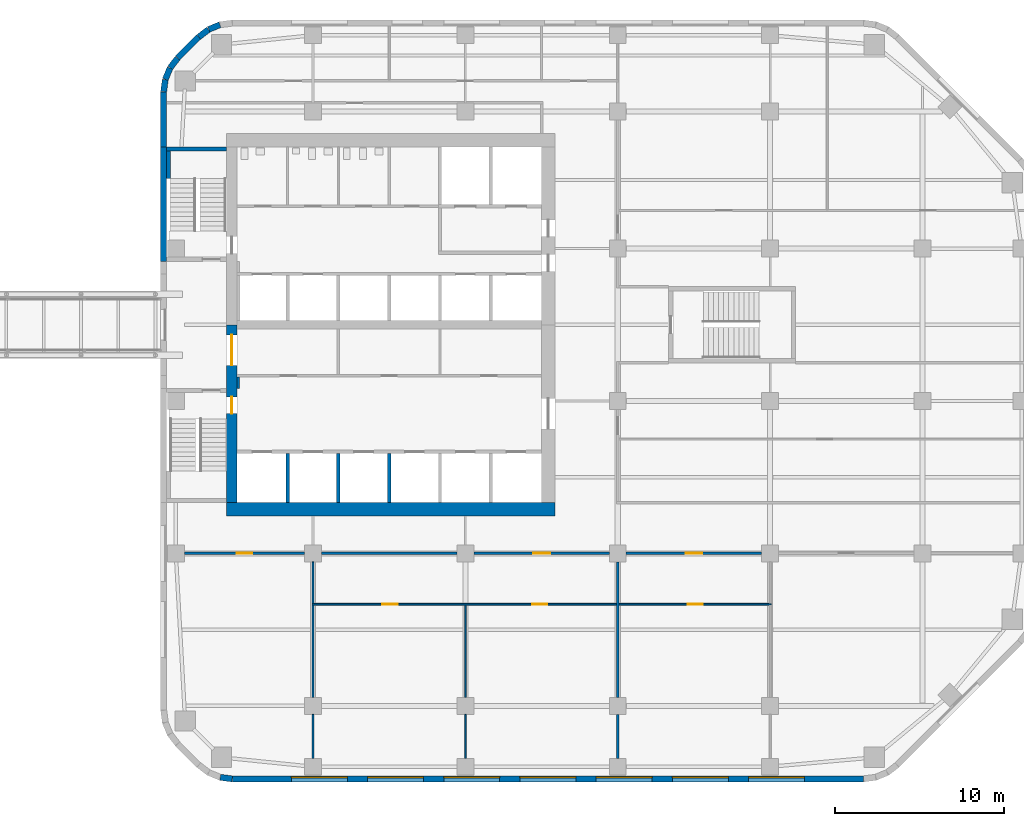
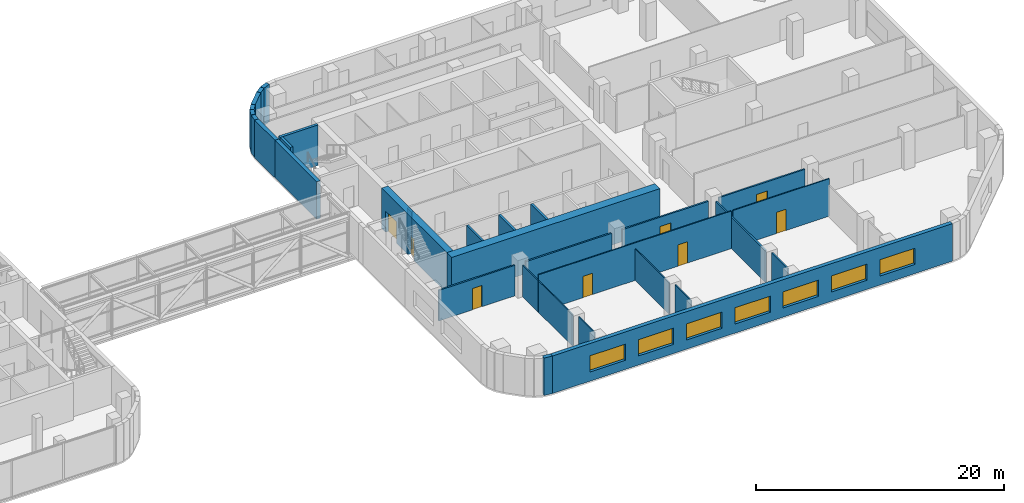
# One storey, part 14 of 21: 31 walls, 8 doors, 7 windows, 15 openings.
"""IFC4 building model written with IfcOpenShell, lengths in metres."""

import ifcopenshell
import ifcopenshell.guid

model = None  # the IFC model being written
_history = None  # IfcOwnerHistory: only IFC2X3 demands one
_inside = {}  # id of a spatial element -> (the spatial element, [elements in it])
_under = {}  # id of a project, library or spatial element -> (it, [spatial elements below it])
_declared = {}  # id of a project -> (the project, [libraries it declares])
_typed = {}  # id of a type object -> (the type object, [elements of that type])
_made_of = {}  # id of a material, layer set ... -> (it, [elements and type objects made of it])


def new_model(schema):
    """Start an empty IFC model of exactly this schema.

    Asked for "IFC4X3", IfcOpenShell would pick the latest addendum, in which some entities
    have other attributes; the version numbers below select the first issue.
    IFC2X3 requires an IfcOwnerHistory on every rooted entity: one is made here for all.
    """
    global model, _history
    if schema == "IFC4X3":
        model = ifcopenshell.file(schema_version=(4, 3, 0, 0))
    else:
        model = ifcopenshell.file(schema=schema)
    _inside.clear()
    _under.clear()
    _declared.clear()
    _typed.clear()
    _made_of.clear()
    _history = None
    if model.schema == "IFC2X3":
        org = make("IfcOrganization", Name="unknown")
        user = make(
            "IfcPersonAndOrganization",
            ThePerson=make("IfcPerson", FamilyName="unknown"),
            TheOrganization=org,
        )
        app = make(
            "IfcApplication",
            ApplicationDeveloper=org,
            Version="unknown",
            ApplicationFullName="unknown",
            ApplicationIdentifier="unknown",
        )
        _history = make(
            "IfcOwnerHistory",
            OwningUser=user,
            OwningApplication=app,
            ChangeAction="ADDED",
            CreationDate=0,
        )
    return model


def make(cls, **values):
    """One entity of the class cls with the attributes given. An attribute that is None is left unset."""
    return model.create_entity(
        cls, **{name: value for name, value in values.items() if value is not None}
    )


def rooted(cls, **values):
    """An entity with a GlobalId (a new one), such as an element, a storey or a relation."""
    return make(cls, GlobalId=ifcopenshell.guid.new(), OwnerHistory=_history, **values)


def si_unit(unit_type, name, prefix=None):
    """IfcSIUnit, for example si_unit("LENGTHUNIT", "METRE", prefix="MILLI")."""
    return make("IfcSIUnit", UnitType=unit_type, Prefix=prefix, Name=name)


def assignment(units):
    """IfcUnitAssignment: the units of a project."""
    return None if units is None else make("IfcUnitAssignment", Units=units)


def point(xyz):
    """IfcCartesianPoint."""
    return None if xyz is None else make("IfcCartesianPoint", Coordinates=xyz)


def direction(xyz):
    """IfcDirection."""
    return None if xyz is None else make("IfcDirection", DirectionRatios=xyz)


def frame(location, z_axis=None, x_axis=None):
    """IfcAxis2Placement3D, a coordinate frame: its origin and axes. An axis left out is left unset."""
    return make(
        "IfcAxis2Placement3D",
        Location=point(location),
        Axis=direction(z_axis),
        RefDirection=direction(x_axis),
    )


def frame_2d(location, x_axis=None):
    """IfcAxis2Placement2D, a coordinate frame in the plane: its origin and x axis."""
    return make(
        "IfcAxis2Placement2D", Location=point(location), RefDirection=direction(x_axis)
    )


def origin():
    """The frame at (0, 0, 0) with its axes left unset."""
    return frame((0.0, 0.0, 0.0))


def place(relative_to, where):
    """IfcLocalPlacement: puts the frame where relative to a parent placement (None: the world)."""
    return make(
        "IfcLocalPlacement", PlacementRelTo=relative_to, RelativePlacement=where
    )


def context(
    kind, dimensions, precision=None, world=None, true_north=None, identifier=None
):
    """IfcGeometricRepresentationContext, for example the 3D "Model" context."""
    return make(
        "IfcGeometricRepresentationContext",
        ContextIdentifier=identifier,
        ContextType=kind,
        CoordinateSpaceDimension=dimensions,
        Precision=precision,
        WorldCoordinateSystem=world,
        TrueNorth=true_north,
    )


def subcontext(parent, identifier, kind, view, scale=None):
    """IfcGeometricRepresentationSubContext, for example "Body" below "Model"."""
    return make(
        "IfcGeometricRepresentationSubContext",
        ContextIdentifier=identifier,
        ContextType=kind,
        ParentContext=parent,
        TargetScale=scale,
        TargetView=view,
    )


def project(units=None, contexts=None):
    """IfcProject with its units and contexts."""
    return rooted(
        "IfcProject",
        Name="project",
        RepresentationContexts=contexts,
        UnitsInContext=assignment(units),
    )


def spatial(cls, under=None, at=None, **own):
    """A site, building, storey or space (cls), placed at a placement, below another one or the project."""
    s = rooted(cls, ObjectPlacement=at, **own)
    if under is not None:
        _under.setdefault(under.id(), (under, []))[1].append(s)
    return s


def profile(cls, at=None, kind="AREA", **sizes):
    """A parametric profile (cls). Its sizes go by their IFC names, for example OverallWidth=200.0."""
    return make(cls, ProfileType=kind, Position=at, **sizes)


def rectangle(**sizes):
    """IfcRectangleProfileDef."""
    return profile("IfcRectangleProfileDef", **sizes)


def extrude(swept, where, along, depth):
    """IfcExtrudedAreaSolid: the profile swept, set in the frame where, extruded along a direction by depth."""
    return make(
        "IfcExtrudedAreaSolid",
        SweptArea=swept,
        Position=where,
        ExtrudedDirection=direction(along),
        Depth=depth,
    )


def shape(context_of_items, identifier, shape_type, items):
    """IfcShapeRepresentation: the items that make up one representation, for example the "Body"."""
    return make(
        "IfcShapeRepresentation",
        ContextOfItems=context_of_items,
        RepresentationIdentifier=identifier,
        RepresentationType=shape_type,
        Items=items,
    )


def material(Name=None, Category=None):
    """IfcMaterial."""
    return make("IfcMaterial", Name=Name, Category=Category)


def layer(
    of_material, thickness, ventilated=None, Name=None, Category=None, Priority=None
):
    """IfcMaterialLayer: one layer of a wall or slab, of a material (None: an air gap)."""
    return make(
        "IfcMaterialLayer",
        Material=of_material,
        LayerThickness=thickness,
        IsVentilated=ventilated,
        Name=Name,
        Category=Category,
        Priority=Priority,
    )


def layer_set(layers, Name=None):
    """IfcMaterialLayerSet."""
    return make("IfcMaterialLayerSet", MaterialLayers=layers, LayerSetName=Name)


def made_of(thing, what):
    """Note that an element or type object is made of a material, layer set ...; save() writes the relation."""
    if what is not None:
        _made_of.setdefault(what.id(), (what, []))[1].append(thing)
    return thing


def type_object(cls, material=None, **own):
    """A type object (cls), such as IfcWallType, which elements share."""
    return made_of(rooted(cls, **own), material)


def element(
    cls,
    number,
    at=None,
    inside=None,
    cuts=None,
    type_object=None,
    material=None,
    context=None,
    identifier="Body",
    shape_type=None,
    held_by="IfcProductDefinitionShape",
    body=None,
    shapes=None,
    **own,
):
    """One element of the class cls, such as IfcWall. Its Tag is "e" and its number.

    at: its placement. inside: the storey or other place that contains it. cuts: it is an
    opening in that element (IfcRelVoidsElement). A single representation is given by context,
    identifier, shape_type and body (its items); several are given by shapes. held_by: the class
    of the entity that holds the representations. save() writes the other relations.
    """
    e = rooted(cls, Tag="e%d" % number, ObjectPlacement=at, **own)
    if body is not None:
        shapes = [shape(context, identifier, shape_type, body)]
    if shapes is not None:
        e.Representation = make(held_by, Representations=shapes)
    if inside is not None:
        _inside.setdefault(inside.id(), (inside, []))[1].append(e)
    if cuts is not None:
        rooted(
            "IfcRelVoidsElement", RelatingBuildingElement=cuts, RelatedOpeningElement=e
        )
    if type_object is not None:
        _typed.setdefault(type_object.id(), (type_object, []))[1].append(e)
    return made_of(e, material)


def fill(opening, filler):
    """IfcRelFillsElement: the door or window that sits in an opening."""
    return rooted(
        "IfcRelFillsElement",
        RelatingOpeningElement=opening,
        RelatedBuildingElement=filler,
    )


def aggregate(whole, parts):
    """IfcRelAggregates: a whole, such as a stair, and the parts it consists of."""
    return rooted("IfcRelAggregates", RelatingObject=whole, RelatedObjects=parts)


def save(model, path):
    """Write the relations noted so far, then the file.

    IfcRelAggregates (storeys below a building ...), IfcRelContainedInSpatialStructure (elements
    in a storey), IfcRelDefinesByType, IfcRelAssociatesMaterial and IfcRelDeclares: one each for
    every whole, place, type object, material and project.
    """
    for whole, parts in _under.values():
        aggregate(whole, parts)
    for where, things in _inside.values():
        rooted(
            "IfcRelContainedInSpatialStructure",
            RelatedElements=things,
            RelatingStructure=where,
        )
    for kind, things in _typed.values():
        rooted("IfcRelDefinesByType", RelatedObjects=things, RelatingType=kind)
    for what, things in _made_of.values():
        rooted("IfcRelAssociatesMaterial", RelatedObjects=things, RelatingMaterial=what)
    for by, libraries in _declared.values():
        rooted("IfcRelDeclares", RelatingContext=by, RelatedDefinitions=libraries)
    model.write(path)


model = new_model("IFC4")

# Units and contexts
model_context = context("Model", 3, precision=1e-05, world=origin(), true_north=direction((0.0, 1.0)))
body_context = subcontext(model_context, "Body", "Model", "MODEL_VIEW")
ifc_project = project(units=[si_unit("LENGTHUNIT", "METRE"), si_unit("AREAUNIT", "SQUARE_METRE"), si_unit("VOLUMEUNIT", "CUBIC_METRE"), si_unit("PLANEANGLEUNIT", "RADIAN"), si_unit("MASSUNIT", "GRAM", prefix="KILO")], contexts=[model_context])

# Site, building, storey
site_placement = place(None, origin())
site = spatial("IfcSite", under=ifc_project, at=site_placement, CompositionType="ELEMENT")
building_placement = place(site_placement, origin())
building = spatial("IfcBuilding", under=site, at=building_placement, Name="Cinnabar Reach Civic Tower", CompositionType="ELEMENT")
storey_placement = place(building_placement, frame((0.0, 0.0, 140.0)))
storey = spatial("IfcBuildingStorey", under=building, at=storey_placement, Name="L33", CompositionType="ELEMENT", Elevation=140.0)

# Walls
ifc_material_1 = material(Name="Facing brick with insulated backing", Category="masonry")
ifc_layer_1 = layer(ifc_material_1, 0.36)
ifc_layer_set_1 = layer_set([ifc_layer_1], Name="Brick corner wall")
wall_type_1 = type_object("IfcWallType", Name="Brick corner wall", PredefinedType="STANDARD", material=ifc_layer_set_1)
wall_1_placement = place(storey_placement, frame((3.5027, 49.2181, 0.0), z_axis=(0.0, 0.0, 1.0), x_axis=(-0.923871547278, -0.382702709855, 0.0)))
element("IfcWall", 1, at=wall_1_placement, inside=storey, type_object=wall_type_1, Name="Brick corner wall", PredefinedType="STANDARD", context=body_context, shape_type="SweptSolid", body=[
    extrude(rectangle(XDim=0.7131, YDim=0.36, at=frame_2d((0.3565, 0.0))), origin(), (0.0, 0.0, 1.0), 3.7),
])
for number, where, z_axis, x_axis, name in (
    (2, (2.8245, 48.934, 0.0), (0.0, 0.0, 1.0), (-0.793321924995, -0.608802368033, 0.0), "Brick corner wall"),
    (3, (1.0002, 47.2413, 0.0), (0.0, 0.0, 1.0), (-0.608802368033, -0.793321924995, 0.0), "Brick corner wall"),
):
    element("IfcWall", number, at=place(storey_placement, frame(where, z_axis=z_axis, x_axis=x_axis)), inside=storey, type_object=wall_type_1, Name=name, PredefinedType="STANDARD", context=body_context, shape_type="SweptSolid", body=[
        extrude(rectangle(XDim=0.7132, YDim=0.36, at=frame_2d((0.3566, 0.0))), origin(), (0.0, 0.0, 1.0), 3.7),
    ])
for number, where, z_axis, x_axis, name in (
    (4, (0.5548, 46.6561, 0.0), (0.0, 0.0, 1.0), (-0.382702709855, -0.923871547278, 0.0), "Brick corner wall"),
    (5, (0.2761, 45.9756, 0.0), (0.0, 0.0, 1.0), (-0.13055608231, -0.99144092581, 0.0), "Brick corner wall"),
    (6, (3.5244, 4.7761, 0.0), (0.0, 0.0, 1.0), (0.99144092581, -0.13055608231, 0.0), "Brick corner wall"),
):
    element("IfcWall", number, at=place(storey_placement, frame(where, z_axis=z_axis, x_axis=x_axis)), inside=storey, type_object=wall_type_1, Name=name, PredefinedType="STANDARD", context=body_context, shape_type="SweptSolid", body=[
        extrude(rectangle(XDim=0.7131, YDim=0.36, at=frame_2d((0.3565, 0.0))), origin(), (0.0, 0.0, 1.0), 3.7),
    ])

# Wall, openings, windows
ifc_layer_2 = layer(ifc_material_1, 0.36)
ifc_layer_set_2 = layer_set([ifc_layer_2], Name="Brick pier and spandrel wall")
wall_type_2 = type_object("IfcWallType", Name="Brick pier and spandrel wall", PredefinedType="STANDARD", material=ifc_layer_set_2)
wall_2_placement = place(storey_placement, frame((4.2426, 4.68, 0.0), z_axis=(0.0, 0.0, 1.0), x_axis=(1.0, 0.0, 0.0)))
wall_2 = element("IfcWall", 7, at=wall_2_placement, inside=storey, type_object=wall_type_2, Name="Brick facade wall", PredefinedType="STANDARD", context=body_context, shape_type="SweptSolid", body=[
    extrude(rectangle(XDim=37.2648, YDim=0.36, at=frame_2d((18.6324, 0.0))), origin(), (0.0, 0.0, 1.0), 3.7),
])
opening_1_placement = place(wall_2_placement, frame((3.4824, 0.0, 0.9)))
opening_1 = element("IfcOpeningElement", 8, at=opening_1_placement, cuts=wall_2, Name="Opening W1699", PredefinedType="OPENING", context=body_context, shape_type="SweptSolid", body=[
    extrude(rectangle(XDim=3.3, YDim=1.6, at=frame_2d((1.65, 0.8))), frame((0.0, 0.19, 0.0), z_axis=(0.0, -1.0, 0.0), x_axis=(1.0, 0.0, 0.0)), (0.0, 0.0, 1.0), 0.38),
])
opening_2_placement = place(wall_2_placement, frame((7.9824, 0.0, 0.9)))
opening_2 = element("IfcOpeningElement", 9, at=opening_2_placement, cuts=wall_2, Name="Opening W1700", PredefinedType="OPENING", context=body_context, shape_type="SweptSolid", body=[
    extrude(rectangle(XDim=3.3, YDim=1.6, at=frame_2d((1.65, 0.8))), frame((0.0, 0.19, 0.0), z_axis=(0.0, -1.0, 0.0), x_axis=(1.0, 0.0, 0.0)), (0.0, 0.0, 1.0), 0.38),
])
opening_3_placement = place(wall_2_placement, frame((12.4824, 0.0, 0.9)))
opening_3 = element("IfcOpeningElement", 10, at=opening_3_placement, cuts=wall_2, Name="Opening W1701", PredefinedType="OPENING", context=body_context, shape_type="SweptSolid", body=[
    extrude(rectangle(XDim=3.3, YDim=1.6, at=frame_2d((1.65, 0.8))), frame((0.0, 0.19, 0.0), z_axis=(0.0, -1.0, 0.0), x_axis=(1.0, 0.0, 0.0)), (0.0, 0.0, 1.0), 0.38),
])
opening_4_placement = place(wall_2_placement, frame((16.9824, 0.0, 0.9)))
opening_4 = element("IfcOpeningElement", 11, at=opening_4_placement, cuts=wall_2, Name="Opening W1702", PredefinedType="OPENING", context=body_context, shape_type="SweptSolid", body=[
    extrude(rectangle(XDim=3.3, YDim=1.6, at=frame_2d((1.65, 0.8))), frame((0.0, 0.19, 0.0), z_axis=(0.0, -1.0, 0.0), x_axis=(1.0, 0.0, 0.0)), (0.0, 0.0, 1.0), 0.38),
])
opening_5_placement = place(wall_2_placement, frame((21.4824, 0.0, 0.9)))
opening_5 = element("IfcOpeningElement", 12, at=opening_5_placement, cuts=wall_2, Name="Opening W1703", PredefinedType="OPENING", context=body_context, shape_type="SweptSolid", body=[
    extrude(rectangle(XDim=3.3, YDim=1.6, at=frame_2d((1.65, 0.8))), frame((0.0, 0.19, 0.0), z_axis=(0.0, -1.0, 0.0), x_axis=(1.0, 0.0, 0.0)), (0.0, 0.0, 1.0), 0.38),
])
opening_6_placement = place(wall_2_placement, frame((25.9824, 0.0, 0.9)))
opening_6 = element("IfcOpeningElement", 13, at=opening_6_placement, cuts=wall_2, Name="Opening W1704", PredefinedType="OPENING", context=body_context, shape_type="SweptSolid", body=[
    extrude(rectangle(XDim=3.3, YDim=1.6, at=frame_2d((1.65, 0.8))), frame((0.0, 0.19, 0.0), z_axis=(0.0, -1.0, 0.0), x_axis=(1.0, 0.0, 0.0)), (0.0, 0.0, 1.0), 0.38),
])
opening_7_placement = place(wall_2_placement, frame((30.4824, 0.0, 0.9)))
opening_7 = element("IfcOpeningElement", 14, at=opening_7_placement, cuts=wall_2, Name="Opening W1705", PredefinedType="OPENING", context=body_context, shape_type="SweptSolid", body=[
    extrude(rectangle(XDim=3.3, YDim=1.6, at=frame_2d((1.65, 0.8))), frame((0.0, 0.19, 0.0), z_axis=(0.0, -1.0, 0.0), x_axis=(1.0, 0.0, 0.0)), (0.0, 0.0, 1.0), 0.38),
])
ifc_material_2 = material(Name="Clear double glazing in aluminium frame", Category="aluminium")
window_type = type_object("IfcWindowType", Name="Deep-set window A", PartitioningType="SINGLE_PANEL", PredefinedType="WINDOW", material=ifc_material_2)
window_1_placement = place(opening_1_placement, origin())
window_1 = element("IfcWindow", 15, at=window_1_placement, inside=storey, type_object=window_type, Name="Window south face", OverallHeight=1.6, OverallWidth=3.3, PartitioningType="SINGLE_PANEL", PredefinedType="WINDOW", context=body_context, shape_type="SweptSolid", body=[
    extrude(rectangle(XDim=3.3, YDim=1.6, at=frame_2d((1.65, 0.8))), frame((0.0, 0.13, 0.0), z_axis=(0.0, -1.0, 0.0), x_axis=(1.0, 0.0, 0.0)), (0.0, 0.0, 1.0), 0.06),
])
fill(opening_1, window_1)
window_2_placement = place(opening_2_placement, origin())
window_2 = element("IfcWindow", 16, at=window_2_placement, inside=storey, type_object=window_type, Name="Window south face", OverallHeight=1.6, OverallWidth=3.3, PartitioningType="SINGLE_PANEL", PredefinedType="WINDOW", context=body_context, shape_type="SweptSolid", body=[
    extrude(rectangle(XDim=3.3, YDim=1.6, at=frame_2d((1.65, 0.8))), frame((0.0, 0.13, 0.0), z_axis=(0.0, -1.0, 0.0), x_axis=(1.0, 0.0, 0.0)), (0.0, 0.0, 1.0), 0.06),
])
fill(opening_2, window_2)
window_3_placement = place(opening_3_placement, origin())
window_3 = element("IfcWindow", 17, at=window_3_placement, inside=storey, type_object=window_type, Name="Window south face", OverallHeight=1.6, OverallWidth=3.3, PartitioningType="SINGLE_PANEL", PredefinedType="WINDOW", context=body_context, shape_type="SweptSolid", body=[
    extrude(rectangle(XDim=3.3, YDim=1.6, at=frame_2d((1.65, 0.8))), frame((0.0, 0.13, 0.0), z_axis=(0.0, -1.0, 0.0), x_axis=(1.0, 0.0, 0.0)), (0.0, 0.0, 1.0), 0.06),
])
fill(opening_3, window_3)
window_4_placement = place(opening_4_placement, origin())
window_4 = element("IfcWindow", 18, at=window_4_placement, inside=storey, type_object=window_type, Name="Window south face", OverallHeight=1.6, OverallWidth=3.3, PartitioningType="SINGLE_PANEL", PredefinedType="WINDOW", context=body_context, shape_type="SweptSolid", body=[
    extrude(rectangle(XDim=3.3, YDim=1.6, at=frame_2d((1.65, 0.8))), frame((0.0, 0.13, 0.0), z_axis=(0.0, -1.0, 0.0), x_axis=(1.0, 0.0, 0.0)), (0.0, 0.0, 1.0), 0.06),
])
fill(opening_4, window_4)
window_5_placement = place(opening_5_placement, origin())
window_5 = element("IfcWindow", 19, at=window_5_placement, inside=storey, type_object=window_type, Name="Window south face", OverallHeight=1.6, OverallWidth=3.3, PartitioningType="SINGLE_PANEL", PredefinedType="WINDOW", context=body_context, shape_type="SweptSolid", body=[
    extrude(rectangle(XDim=3.3, YDim=1.6, at=frame_2d((1.65, 0.8))), frame((0.0, 0.13, 0.0), z_axis=(0.0, -1.0, 0.0), x_axis=(1.0, 0.0, 0.0)), (0.0, 0.0, 1.0), 0.06),
])
fill(opening_5, window_5)
window_6_placement = place(opening_6_placement, origin())
window_6 = element("IfcWindow", 20, at=window_6_placement, inside=storey, type_object=window_type, Name="Window south face", OverallHeight=1.6, OverallWidth=3.3, PartitioningType="SINGLE_PANEL", PredefinedType="WINDOW", context=body_context, shape_type="SweptSolid", body=[
    extrude(rectangle(XDim=3.3, YDim=1.6, at=frame_2d((1.65, 0.8))), frame((0.0, 0.13, 0.0), z_axis=(0.0, -1.0, 0.0), x_axis=(1.0, 0.0, 0.0)), (0.0, 0.0, 1.0), 0.06),
])
fill(opening_6, window_6)
window_7_placement = place(opening_7_placement, origin())
window_7 = element("IfcWindow", 21, at=window_7_placement, inside=storey, type_object=window_type, Name="Window south face", OverallHeight=1.6, OverallWidth=3.3, PartitioningType="SINGLE_PANEL", PredefinedType="WINDOW", context=body_context, shape_type="SweptSolid", body=[
    extrude(rectangle(XDim=3.3, YDim=1.6, at=frame_2d((1.65, 0.8))), frame((0.0, 0.13, 0.0), z_axis=(0.0, -1.0, 0.0), x_axis=(1.0, 0.0, 0.0)), (0.0, 0.0, 1.0), 0.06),
])
fill(opening_7, window_7)

# Walls
wall_3_placement = place(storey_placement, frame((2.2486, 48.494, 0.0), z_axis=(0.0, 0.0, 1.0), x_axis=(-0.707106781187, -0.707106781187, 0.0)))
element("IfcWall", 22, at=wall_3_placement, inside=storey, type_object=wall_type_2, Name="Brick facade wall", PredefinedType="STANDARD", context=body_context, shape_type="SweptSolid", body=[
    extrude(rectangle(XDim=1.7573, YDim=0.36, at=frame_2d((0.8787, 0.0))), origin(), (0.0, 0.0, 1.0), 3.7),
])
wall_4_placement = place(storey_placement, frame((0.18, 45.2574, 0.0), z_axis=(0.0, 0.0, 1.0), x_axis=(0.0, -1.0, 0.0)))
element("IfcWall", 23, at=wall_4_placement, inside=storey, type_object=wall_type_2, Name="Brick facade wall", PredefinedType="STANDARD", context=body_context, shape_type="SweptSolid", body=[
    extrude(rectangle(XDim=3.2574, YDim=0.36, at=frame_2d((1.6287, 0.0))), origin(), (0.0, 0.0, 1.0), 3.7),
])
wall_5_placement = place(storey_placement, frame((0.18, 42.0, 0.0), z_axis=(0.0, 0.0, 1.0), x_axis=(0.0, -1.0, 0.0)))
element("IfcWall", 24, at=wall_5_placement, inside=storey, type_object=wall_type_2, Name="Brick facade wall", PredefinedType="STANDARD", context=body_context, shape_type="SweptSolid", body=[
    extrude(rectangle(XDim=6.75, YDim=0.36, at=frame_2d((3.375, 0.0))), origin(), (0.0, 0.0, 1.0), 3.7),
])

# Wall, openings, doors
ifc_material_3 = material(Name="Concrete C70", Category="concrete")
ifc_layer_3 = layer(ifc_material_3, 0.6)
ifc_layer_set_3 = layer_set([ifc_layer_3], Name="Core wall 600 EI 180")
wall_type_3 = type_object("IfcWallType", Name="Core wall 600 EI 180", PredefinedType="SOLIDWALL", material=ifc_layer_set_3)
wall_6_placement = place(storey_placement, frame((4.2, 31.5, 0.0), z_axis=(0.0, 0.0, 1.0), x_axis=(0.0, -1.0, 0.0)))
wall_6 = element("IfcWall", 25, at=wall_6_placement, inside=storey, type_object=wall_type_3, Name="Core wall T1 L33 W2", PredefinedType="SOLIDWALL", context=body_context, shape_type="SweptSolid", body=[
    extrude(rectangle(XDim=10.5, YDim=0.6, at=frame_2d((5.25, 0.0))), origin(), (0.0, 0.0, 1.0), 4.0),
])
opening_8_placement = place(wall_6_placement, frame((4.25, 0.0, 0.0)))
opening_8 = element("IfcOpeningElement", 26, at=opening_8_placement, cuts=wall_6, Name="Opening D4331", PredefinedType="OPENING", context=body_context, shape_type="SweptSolid", body=[
    extrude(rectangle(XDim=1.0, YDim=2.1, at=frame_2d((0.5, 1.05))), frame((0.0, 0.31, 0.0), z_axis=(0.0, -1.0, 0.0), x_axis=(1.0, 0.0, 0.0)), (0.0, 0.0, 1.0), 0.62),
])
opening_9_placement = place(wall_6_placement, frame((0.6, 0.0, 0.0)))
opening_9 = element("IfcOpeningElement", 27, at=opening_9_placement, cuts=wall_6, Name="Opening D4335", PredefinedType="OPENING", context=body_context, shape_type="SweptSolid", body=[
    extrude(rectangle(XDim=1.8, YDim=2.1, at=frame_2d((0.9, 1.05))), frame((0.0, 0.31, 0.0), z_axis=(0.0, -1.0, 0.0), x_axis=(1.0, 0.0, 0.0)), (0.0, 0.0, 1.0), 0.62),
])
ifc_material_4 = material(Name="Timber door leaf in steel frame", Category="steel")
door_type_1 = type_object("IfcDoorType", Name="Bridge fire door 1800 x 2100 T1", OperationType="DOUBLE_DOOR_DOUBLE_SWING", PredefinedType="DOOR", material=ifc_material_4)
door_1_placement = place(opening_9_placement, frame((1.8, 0.0, 0.0), z_axis=(0.0, 0.0, 1.0), x_axis=(-1.0, 0.0, 0.0)))
door_1 = element("IfcDoor", 28, at=door_1_placement, inside=storey, type_object=door_type_1, Name="Door D4335", OperationType="DOUBLE_DOOR_DOUBLE_SWING", OverallHeight=2.1, OverallWidth=1.8, PredefinedType="DOOR", context=body_context, shape_type="SweptSolid", body=[
    extrude(rectangle(XDim=1.8, YDim=2.1, at=frame_2d((0.9, 1.05))), frame((0.0, 0.025, 0.0), z_axis=(0.0, -1.0, 0.0), x_axis=(1.0, 0.0, 0.0)), (0.0, 0.0, 1.0), 0.05),
])
fill(opening_9, door_1)
door_type_2 = type_object("IfcDoorType", Name="Stair door 1000 x 2100 T1", OperationType="SINGLE_SWING_LEFT", PredefinedType="DOOR", material=ifc_material_4)
door_2_placement = place(opening_8_placement, frame((1.0, 0.0, 0.0), z_axis=(0.0, 0.0, 1.0), x_axis=(-1.0, 0.0, 0.0)))
door_2 = element("IfcDoor", 29, at=door_2_placement, inside=storey, type_object=door_type_2, Name="Door D4331", OperationType="SINGLE_SWING_RIGHT", OverallHeight=2.1, OverallWidth=1.0, PredefinedType="DOOR", context=body_context, shape_type="SweptSolid", body=[
    extrude(rectangle(XDim=1.0, YDim=2.1, at=frame_2d((0.5, 1.05))), frame((0.0, 0.025, 0.0), z_axis=(0.0, -1.0, 0.0), x_axis=(1.0, 0.0, 0.0)), (0.0, 0.0, 1.0), 0.05),
])
fill(opening_8, door_2)

# Wall
ifc_layer_4 = layer(ifc_material_3, 0.8)
ifc_layer_set_4 = layer_set([ifc_layer_4], Name="Core wall 800 EI 180")
wall_type_4 = type_object("IfcWallType", Name="Core wall 800 EI 180", PredefinedType="SOLIDWALL", material=ifc_layer_set_4)
wall_7_placement = place(storey_placement, frame((3.9, 20.6, 0.0), z_axis=(0.0, 0.0, 1.0), x_axis=(1.0, 0.0, 0.0)))
element("IfcWall", 30, at=wall_7_placement, inside=storey, type_object=wall_type_4, Name="Core wall T1 L33 S", PredefinedType="SOLIDWALL", context=body_context, shape_type="SweptSolid", body=[
    extrude(rectangle(XDim=19.4, YDim=0.8, at=frame_2d((9.7, 0.0))), origin(), (0.0, 0.0, 1.0), 4.0),
])

# Wall, opening, door
ifc_material_5 = material(Name="Gypsum board on steel studs, double layer", Category="steel")
ifc_layer_5 = layer(ifc_material_5, 0.15)
ifc_layer_set_5 = layer_set([ifc_layer_5], Name="Corridor wall 150 T1")
wall_type_5 = type_object("IfcWallType", Name="Corridor wall 150 T1", PredefinedType="PARTITIONING", material=ifc_layer_set_5)
wall_8_placement = place(storey_placement, frame((27.5, 18.0, 0.0), z_axis=(0.0, 0.0, 1.0), x_axis=(1.0, 0.0, 0.0)))
wall_8 = element("IfcWall", 31, at=wall_8_placement, inside=storey, type_object=wall_type_5, Name="Corridor wall 21", PredefinedType="PARTITIONING", context=body_context, shape_type="SweptSolid", body=[
    extrude(rectangle(XDim=8.0, YDim=0.15, at=frame_2d((4.0, 0.0))), origin(), (0.0, 0.0, 1.0), 3.008),
])
opening_10_placement = place(wall_8_placement, frame((3.5, 0.0, 0.0)))
opening_10 = element("IfcOpeningElement", 32, at=opening_10_placement, cuts=wall_8, Name="Opening D4368", PredefinedType="OPENING", context=body_context, shape_type="SweptSolid", body=[
    extrude(rectangle(XDim=1.0, YDim=2.1, at=frame_2d((0.5, 1.05))), frame((0.0, 0.085, 0.0), z_axis=(0.0, -1.0, 0.0), x_axis=(1.0, 0.0, 0.0)), (0.0, 0.0, 1.0), 0.17),
])
door_type_3 = type_object("IfcDoorType", Name="Tenancy entrance door 1000 x 2100 T1", OperationType="SINGLE_SWING_LEFT", PredefinedType="DOOR", material=ifc_material_4)
door_3_placement = place(opening_10_placement, frame((1.0, 0.0, 0.0), z_axis=(0.0, 0.0, 1.0), x_axis=(-1.0, 0.0, 0.0)))
door_3 = element("IfcDoor", 33, at=door_3_placement, inside=storey, type_object=door_type_3, Name="Door D4368", OperationType="SINGLE_SWING_LEFT", OverallHeight=2.1, OverallWidth=1.0, PredefinedType="DOOR", context=body_context, shape_type="SweptSolid", body=[
    extrude(rectangle(XDim=1.0, YDim=2.1, at=frame_2d((0.5, 1.05))), frame((0.0, 0.025, 0.0), z_axis=(0.0, -1.0, 0.0), x_axis=(1.0, 0.0, 0.0)), (0.0, 0.0, 1.0), 0.05),
])
fill(opening_10, door_3)

wall_9_placement = place(storey_placement, frame((18.5, 18.0, 0.0), z_axis=(0.0, 0.0, 1.0), x_axis=(1.0, 0.0, 0.0)))
wall_9 = element("IfcWall", 34, at=wall_9_placement, inside=storey, type_object=wall_type_5, Name="Corridor wall 22", PredefinedType="PARTITIONING", context=body_context, shape_type="SweptSolid", body=[
    extrude(rectangle(XDim=8.0, YDim=0.15, at=frame_2d((4.0, 0.0))), origin(), (0.0, 0.0, 1.0), 3.008),
])
opening_11_placement = place(wall_9_placement, frame((3.5, 0.0, 0.0)))
opening_11 = element("IfcOpeningElement", 35, at=opening_11_placement, cuts=wall_9, Name="Opening D4365", PredefinedType="OPENING", context=body_context, shape_type="SweptSolid", body=[
    extrude(rectangle(XDim=1.0, YDim=2.1, at=frame_2d((0.5, 1.05))), frame((0.0, 0.085, 0.0), z_axis=(0.0, -1.0, 0.0), x_axis=(1.0, 0.0, 0.0)), (0.0, 0.0, 1.0), 0.17),
])
door_4_placement = place(opening_11_placement, frame((1.0, 0.0, 0.0), z_axis=(0.0, 0.0, 1.0), x_axis=(-1.0, 0.0, 0.0)))
door_4 = element("IfcDoor", 36, at=door_4_placement, inside=storey, type_object=door_type_3, Name="Door D4365", OperationType="SINGLE_SWING_RIGHT", OverallHeight=2.1, OverallWidth=1.0, PredefinedType="DOOR", context=body_context, shape_type="SweptSolid", body=[
    extrude(rectangle(XDim=1.0, YDim=2.1, at=frame_2d((0.5, 1.05))), frame((0.0, 0.025, 0.0), z_axis=(0.0, -1.0, 0.0), x_axis=(1.0, 0.0, 0.0)), (0.0, 0.0, 1.0), 0.05),
])
fill(opening_11, door_4)

# Wall
wall_10_placement = place(storey_placement, frame((9.5, 18.0, 0.0), z_axis=(0.0, 0.0, 1.0), x_axis=(1.0, 0.0, 0.0)))
element("IfcWall", 37, at=wall_10_placement, inside=storey, type_object=wall_type_5, Name="Corridor wall 23", PredefinedType="PARTITIONING", context=body_context, shape_type="SweptSolid", body=[
    extrude(rectangle(XDim=8.0, YDim=0.15, at=frame_2d((4.0, 0.0))), origin(), (0.0, 0.0, 1.0), 3.008),
])

# Wall, opening, door
wall_11_placement = place(storey_placement, frame((1.4, 18.0, 0.0), z_axis=(0.0, 0.0, 1.0), x_axis=(1.0, 0.0, 0.0)))
wall_11 = element("IfcWall", 38, at=wall_11_placement, inside=storey, type_object=wall_type_5, Name="Corridor wall 24", PredefinedType="PARTITIONING", context=body_context, shape_type="SweptSolid", body=[
    extrude(rectangle(XDim=7.1, YDim=0.15, at=frame_2d((3.55, 0.0))), origin(), (0.0, 0.0, 1.0), 3.008),
])
opening_12_placement = place(wall_11_placement, frame((3.1, 0.0, 0.0)))
opening_12 = element("IfcOpeningElement", 39, at=opening_12_placement, cuts=wall_11, Name="Opening D4364", PredefinedType="OPENING", context=body_context, shape_type="SweptSolid", body=[
    extrude(rectangle(XDim=0.9, YDim=2.1, at=frame_2d((0.45, 1.05))), frame((0.0, 0.085, 0.0), z_axis=(0.0, -1.0, 0.0), x_axis=(1.0, 0.0, 0.0)), (0.0, 0.0, 1.0), 0.17),
])
door_type_4 = type_object("IfcDoorType", Name="Single swing door 900 x 2100 corridor T1", OperationType="SINGLE_SWING_LEFT", PredefinedType="DOOR", material=ifc_material_4)
door_5_placement = place(opening_12_placement, frame((0.9, 0.0, 0.0), z_axis=(0.0, 0.0, 1.0), x_axis=(-1.0, 0.0, 0.0)))
door_5 = element("IfcDoor", 40, at=door_5_placement, inside=storey, type_object=door_type_4, Name="Door D4364", OperationType="SINGLE_SWING_LEFT", OverallHeight=2.1, OverallWidth=0.9, PredefinedType="DOOR", context=body_context, shape_type="SweptSolid", body=[
    extrude(rectangle(XDim=0.9, YDim=2.1, at=frame_2d((0.45, 1.05))), frame((0.0, 0.025, 0.0), z_axis=(0.0, -1.0, 0.0), x_axis=(1.0, 0.0, 0.0)), (0.0, 0.0, 1.0), 0.05),
])
fill(opening_12, door_5)

# Walls
wall_12_placement = place(storey_placement, frame((4.575, 27.75, 0.0), z_axis=(0.0, 0.0, 1.0), x_axis=(0.0, 1.0, 0.0)))
element("IfcWall", 41, at=wall_12_placement, inside=storey, type_object=wall_type_5, Name="Corridor wall 39", PredefinedType="PARTITIONING", context=body_context, shape_type="SweptSolid", body=[
    extrude(rectangle(XDim=0.675, YDim=0.15, at=frame_2d((0.3375, 0.0))), origin(), (0.0, 0.0, 1.0), 3.7),
])
ifc_material_6 = material(Name="Blockwork", Category="masonry")
ifc_layer_6 = layer(ifc_material_6, 0.2)
ifc_layer_set_6 = layer_set([ifc_layer_6], Name="Lift shaft wall 200 T1")
wall_type_6 = type_object("IfcWallType", Name="Lift shaft wall 200 T1", PredefinedType="PARTITIONING", material=ifc_layer_set_6)
for number, where, z_axis, x_axis, name in (
    (42, (7.5, 21.0, 0.0), (0.0, 0.0, 1.0), (0.0, 1.0, 0.0), "Lift shaft wall 9"),
    (43, (10.5, 21.0, 0.0), (0.0, 0.0, 1.0), (0.0, 1.0, 0.0), "Lift shaft wall 11"),
    (44, (13.5, 21.0, 0.0), (0.0, 0.0, 1.0), (0.0, 1.0, 0.0), "Lift shaft wall 13"),
):
    element("IfcWall", number, at=place(storey_placement, frame(where, z_axis=z_axis, x_axis=x_axis)), inside=storey, type_object=wall_type_6, Name=name, PredefinedType="PARTITIONING", context=body_context, shape_type="SweptSolid", body=[
        extrude(rectangle(XDim=2.9, YDim=0.2, at=frame_2d((1.45, 0.0))), origin(), (0.0, 0.0, 1.0), 3.7),
    ])

# Wall, openings, doors
ifc_material_7 = material(Name="Gypsum board on steel studs", Category="steel")
ifc_layer_7 = layer(ifc_material_7, 0.1)
ifc_layer_set_7 = layer_set([ifc_layer_7], Name="Partition wall 100 T1")
wall_type_7 = type_object("IfcWallType", Name="Partition wall 100 T1", PredefinedType="PARTITIONING", material=ifc_layer_set_7)
wall_13_placement = place(storey_placement, frame((8.95, 15.0, 0.0), z_axis=(0.0, 0.0, 1.0), x_axis=(1.0, 0.0, 0.0)))
wall_13 = element("IfcWall", 45, at=wall_13_placement, inside=storey, type_object=wall_type_7, Name="Partition wall 45", PredefinedType="PARTITIONING", context=body_context, shape_type="SweptSolid", body=[
    extrude(rectangle(XDim=17.975, YDim=0.1, at=frame_2d((8.9875, 0.0))), origin(), (0.0, 0.0, 1.0), 3.7),
])
opening_13_placement = place(wall_13_placement, frame((4.15, 0.0, 0.0)))
opening_13 = element("IfcOpeningElement", 46, at=opening_13_placement, cuts=wall_13, Name="Opening D4366", PredefinedType="OPENING", context=body_context, shape_type="SweptSolid", body=[
    extrude(rectangle(XDim=0.9, YDim=2.1, at=frame_2d((0.45, 1.05))), frame((0.0, 0.06, 0.0), z_axis=(0.0, -1.0, 0.0), x_axis=(1.0, 0.0, 0.0)), (0.0, 0.0, 1.0), 0.12),
])
opening_14_placement = place(wall_13_placement, frame((13.0, 0.0, 0.0)))
opening_14 = element("IfcOpeningElement", 47, at=opening_14_placement, cuts=wall_13, Name="Opening D4367", PredefinedType="OPENING", context=body_context, shape_type="SweptSolid", body=[
    extrude(rectangle(XDim=0.9, YDim=2.1, at=frame_2d((0.45, 1.05))), frame((0.0, 0.06, 0.0), z_axis=(0.0, -1.0, 0.0), x_axis=(1.0, 0.0, 0.0)), (0.0, 0.0, 1.0), 0.12),
])
door_type_5 = type_object("IfcDoorType", Name="Single swing door 900 x 2100 T1", OperationType="SINGLE_SWING_LEFT", PredefinedType="DOOR", material=ifc_material_4)
door_6_placement = place(opening_13_placement, origin())
door_6 = element("IfcDoor", 48, at=door_6_placement, inside=storey, type_object=door_type_5, Name="Door D4366", OperationType="SINGLE_SWING_LEFT", OverallHeight=2.1, OverallWidth=0.9, PredefinedType="DOOR", context=body_context, shape_type="SweptSolid", body=[
    extrude(rectangle(XDim=0.9, YDim=2.1, at=frame_2d((0.45, 1.05))), frame((0.0, 0.025, 0.0), z_axis=(0.0, -1.0, 0.0), x_axis=(1.0, 0.0, 0.0)), (0.0, 0.0, 1.0), 0.05),
])
fill(opening_13, door_6)
door_7_placement = place(opening_14_placement, origin())
door_7 = element("IfcDoor", 49, at=door_7_placement, inside=storey, type_object=door_type_5, Name="Door D4367", OperationType="SINGLE_SWING_RIGHT", OverallHeight=2.1, OverallWidth=0.9, PredefinedType="DOOR", context=body_context, shape_type="SweptSolid", body=[
    extrude(rectangle(XDim=0.9, YDim=2.1, at=frame_2d((0.45, 1.05))), frame((0.0, 0.025, 0.0), z_axis=(0.0, -1.0, 0.0), x_axis=(1.0, 0.0, 0.0)), (0.0, 0.0, 1.0), 0.05),
])
fill(opening_14, door_7)

# Wall, opening, door
wall_14_placement = place(storey_placement, frame((27.075, 15.0, 0.0), z_axis=(0.0, 0.0, 1.0), x_axis=(1.0, 0.0, 0.0)))
wall_14 = element("IfcWall", 50, at=wall_14_placement, inside=storey, type_object=wall_type_7, Name="Partition wall 46", PredefinedType="PARTITIONING", context=body_context, shape_type="SweptSolid", body=[
    extrude(rectangle(XDim=8.975, YDim=0.1, at=frame_2d((4.4875, 0.0))), origin(), (0.0, 0.0, 1.0), 3.7),
])
opening_15_placement = place(wall_14_placement, frame((4.05, 0.0, 0.0)))
opening_15 = element("IfcOpeningElement", 51, at=opening_15_placement, cuts=wall_14, Name="Opening D4369", PredefinedType="OPENING", context=body_context, shape_type="SweptSolid", body=[
    extrude(rectangle(XDim=0.9, YDim=2.1, at=frame_2d((0.45, 1.05))), frame((0.0, 0.06, 0.0), z_axis=(0.0, -1.0, 0.0), x_axis=(1.0, 0.0, 0.0)), (0.0, 0.0, 1.0), 0.12),
])
door_8_placement = place(opening_15_placement, origin())
door_8 = element("IfcDoor", 52, at=door_8_placement, inside=storey, type_object=door_type_5, Name="Door D4369", OperationType="SINGLE_SWING_RIGHT", OverallHeight=2.1, OverallWidth=0.9, PredefinedType="DOOR", context=body_context, shape_type="SweptSolid", body=[
    extrude(rectangle(XDim=0.9, YDim=2.1, at=frame_2d((0.45, 1.05))), frame((0.0, 0.025, 0.0), z_axis=(0.0, -1.0, 0.0), x_axis=(1.0, 0.0, 0.0)), (0.0, 0.0, 1.0), 0.05),
])
fill(opening_15, door_8)

# Walls
wall_15_placement = place(storey_placement, frame((9.0, 5.9, 0.0), z_axis=(0.0, 0.0, 1.0), x_axis=(0.0, 1.0, 0.0)))
element("IfcWall", 53, at=wall_15_placement, inside=storey, type_object=wall_type_7, Name="Partition wall 49", PredefinedType="PARTITIONING", context=body_context, shape_type="SweptSolid", body=[
    extrude(rectangle(XDim=2.6, YDim=0.1, at=frame_2d((1.3, 0.0))), origin(), (0.0, 0.0, 1.0), 3.502),
])
wall_16_placement = place(storey_placement, frame((9.0, 15.05, 0.0), z_axis=(0.0, 0.0, 1.0), x_axis=(0.0, 1.0, 0.0)))
element("IfcWall", 54, at=wall_16_placement, inside=storey, type_object=wall_type_7, Name="Partition wall 50", PredefinedType="PARTITIONING", context=body_context, shape_type="SweptSolid", body=[
    extrude(rectangle(XDim=2.45, YDim=0.1, at=frame_2d((1.225, 0.0))), origin(), (0.0, 0.0, 1.0), 3.106),
])
wall_17_placement = place(storey_placement, frame((9.0, 9.5, 0.0), z_axis=(0.0, 0.0, 1.0), x_axis=(0.0, 1.0, 0.0)))
element("IfcWall", 55, at=wall_17_placement, inside=storey, type_object=wall_type_7, Name="Partition wall 51", PredefinedType="PARTITIONING", context=body_context, shape_type="SweptSolid", body=[
    extrude(rectangle(XDim=5.45, YDim=0.1, at=frame_2d((2.725, 0.0))), origin(), (0.0, 0.0, 1.0), 3.106),
])
wall_18_placement = place(storey_placement, frame((18.0, 5.9, 0.0), z_axis=(0.0, 0.0, 1.0), x_axis=(0.0, 1.0, 0.0)))
element("IfcWall", 56, at=wall_18_placement, inside=storey, type_object=wall_type_7, Name="Partition wall 56", PredefinedType="PARTITIONING", context=body_context, shape_type="SweptSolid", body=[
    extrude(rectangle(XDim=2.6, YDim=0.1, at=frame_2d((1.3, 0.0))), origin(), (0.0, 0.0, 1.0), 3.502),
])
wall_19_placement = place(storey_placement, frame((18.0, 9.5, 0.0), z_axis=(0.0, 0.0, 1.0), x_axis=(0.0, 1.0, 0.0)))
element("IfcWall", 57, at=wall_19_placement, inside=storey, type_object=wall_type_7, Name="Partition wall 57", PredefinedType="PARTITIONING", context=body_context, shape_type="SweptSolid", body=[
    extrude(rectangle(XDim=5.45, YDim=0.1, at=frame_2d((2.725, 0.0))), origin(), (0.0, 0.0, 1.0), 3.106),
])
ifc_material_8 = material(Name="Concrete C60", Category="concrete")
ifc_layer_8 = layer(ifc_material_8, 0.25)
ifc_layer_set_8 = layer_set([ifc_layer_8], Name="Stair shaft wall 250 EI 120")
wall_type_8 = type_object("IfcWallType", Name="Stair shaft wall 250 EI 120", PredefinedType="SOLIDWALL", material=ifc_layer_set_8)
wall_20_placement = place(storey_placement, frame((3.9, 41.875, 0.0), z_axis=(0.0, 0.0, 1.0), x_axis=(-1.0, 0.0, 0.0)))
element("IfcWall", 58, at=wall_20_placement, inside=storey, type_object=wall_type_8, Name="Stair shaft wall T1-S2 L33", PredefinedType="SOLIDWALL", context=body_context, shape_type="SweptSolid", body=[
    extrude(rectangle(XDim=3.54, YDim=0.25, at=frame_2d((1.77, 0.0))), origin(), (0.0, 0.0, 1.0), 4.0),
])
ifc_material_9 = material(Name="Concrete C40/50", Category="concrete")
ifc_layer_9 = layer(ifc_material_9, 0.24)
ifc_layer_set_9 = layer_set([ifc_layer_9], Name="T1 landing bearer wall 240")
wall_type_9 = type_object("IfcWallType", Name="T1 landing bearer wall 240", PredefinedType="STANDARD", material=ifc_layer_set_9)
wall_21_placement = place(storey_placement, frame((0.48, 40.13, 0.0), z_axis=(0.0, 0.0, 1.0), x_axis=(0.0, 1.0, 0.0)))
element("IfcWall", 59, at=wall_21_placement, inside=storey, type_object=wall_type_9, Name="T1-S2 landing bearer wall", PredefinedType="STANDARD", context=body_context, shape_type="SweptSolid", body=[
    extrude(rectangle(XDim=1.62, YDim=0.24, at=frame_2d((0.81, 0.0))), origin(), (0.0, 0.0, 1.0), 4.0),
])
ifc_layer_10 = layer(ifc_material_5, 0.15)
ifc_layer_set_10 = layer_set([ifc_layer_10], Name="Tenancy separating wall 150 T1")
wall_type_10 = type_object("IfcWallType", Name="Tenancy separating wall 150 T1", PredefinedType="PARTITIONING", material=ifc_layer_set_10)
wall_22_placement = place(storey_placement, frame((27.0, 5.9, 0.0), z_axis=(0.0, 0.0, 1.0), x_axis=(0.0, 1.0, 0.0)))
element("IfcWall", 60, at=wall_22_placement, inside=storey, type_object=wall_type_10, Name="Tenancy separating wall 43", PredefinedType="PARTITIONING", context=body_context, shape_type="SweptSolid", body=[
    extrude(rectangle(XDim=2.6, YDim=0.15, at=frame_2d((1.3, 0.0))), origin(), (0.0, 0.0, 1.0), 3.502),
])
wall_23_placement = place(storey_placement, frame((27.0, 9.5, 0.0), z_axis=(0.0, 0.0, 1.0), x_axis=(0.0, 1.0, 0.0)))
element("IfcWall", 61, at=wall_23_placement, inside=storey, type_object=wall_type_10, Name="Tenancy separating wall 44", PredefinedType="PARTITIONING", context=body_context, shape_type="SweptSolid", body=[
    extrude(rectangle(XDim=8.0, YDim=0.15, at=frame_2d((4.0, 0.0))), origin(), (0.0, 0.0, 1.0), 3.106),
])

save(model, "model.ifc")
